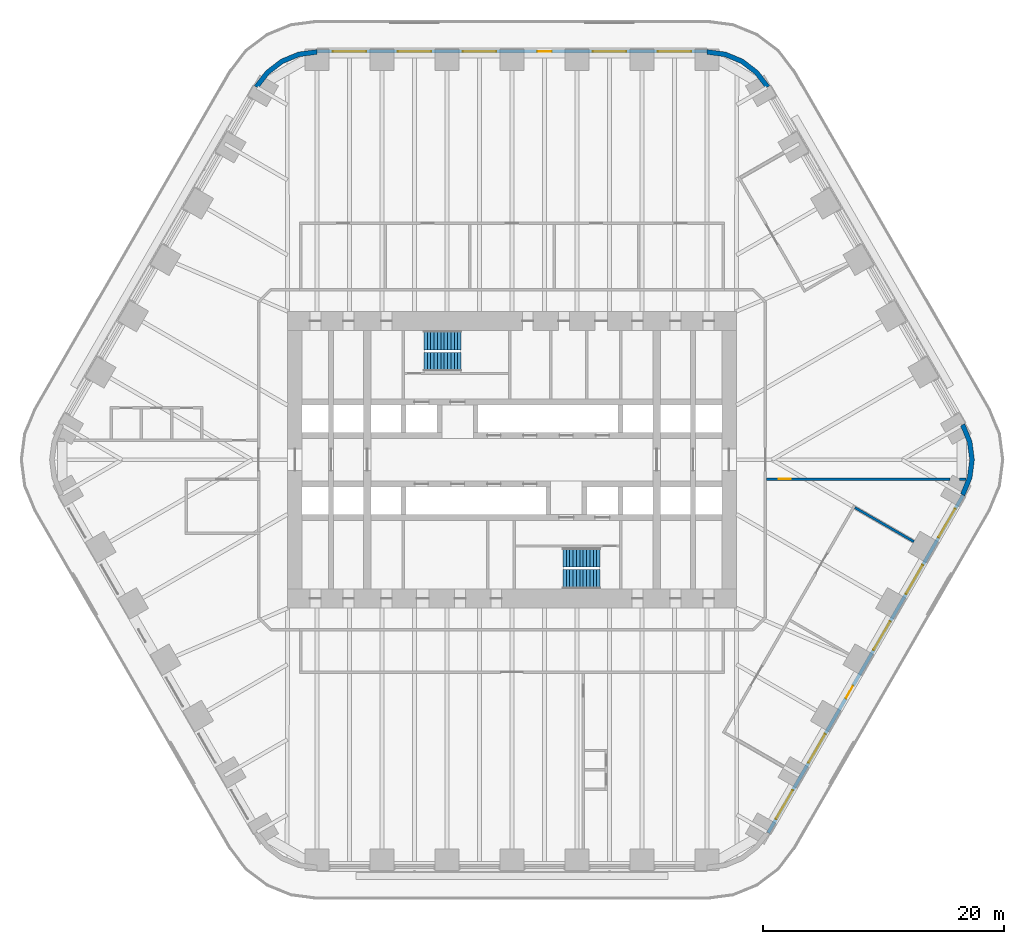
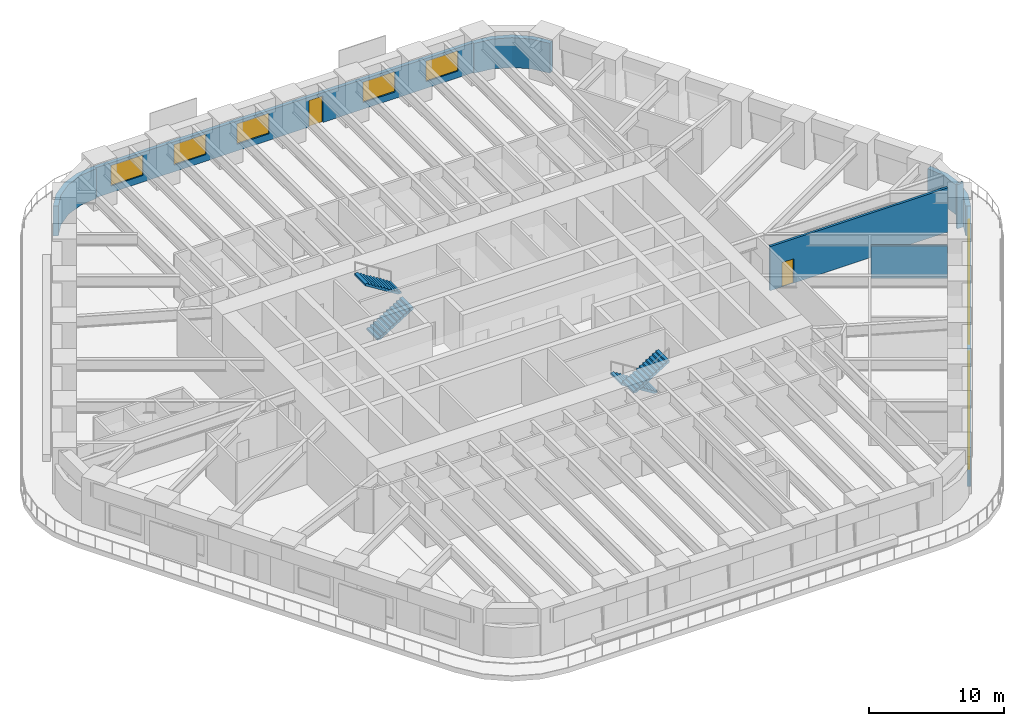
# One storey, part 20 of 23: 10 windows, 8 walls, 4 stair flights, 3 doors, 13 openings, 2 elements without a shape of their own.
"""IFC4 building model written with IfcOpenShell, lengths in metres."""

from ifc_helpers import new_model, si_unit, direction, frame, frame_2d, origin, place, context, subcontext, project, spatial, polyline, rectangle, outline, extrude, material, layer, layer_set, type_object, element, fill, aggregate, save


model = new_model("IFC4")

# Units and contexts
model_context = context("Model", 3, precision=1e-05, world=origin(), true_north=direction((0.0, 1.0)))
body_context = subcontext(model_context, "Body", "Model", "MODEL_VIEW")
ifc_project = project(units=[si_unit("LENGTHUNIT", "METRE"), si_unit("AREAUNIT", "SQUARE_METRE"), si_unit("VOLUMEUNIT", "CUBIC_METRE"), si_unit("PLANEANGLEUNIT", "RADIAN"), si_unit("MASSUNIT", "GRAM", prefix="KILO")], contexts=[model_context])

# Site, building, storey
site_placement = place(None, origin())
site = spatial("IfcSite", under=ifc_project, at=site_placement, CompositionType="ELEMENT")
building_placement = place(site_placement, origin())
building = spatial("IfcBuilding", under=site, at=building_placement, Name="Tarfa Lantern Tower", CompositionType="ELEMENT")
storey_placement = place(building_placement, frame((0.0, 0.0, 52.89990234375)))
storey = spatial("IfcBuildingStorey", under=building, at=storey_placement, Name="L11", CompositionType="ELEMENT", Elevation=52.89990234375)

# Wall, openings, door, windows
ifc_material_1 = material(Name="Limestone cladding on blockwork", Category="masonry")
ifc_layer_1 = layer(ifc_material_1, 0.300048828125)
ifc_layer_set_1 = layer_set([ifc_layer_1], Name="EW1 STONE-CLAD WALL 300")
wall_type_1 = type_object("IfcWallType", Name="EW1 STONE-CLAD WALL 300", PredefinedType="SOLIDWALL", material=ifc_layer_set_1)
wall_1_placement = place(storey_placement, frame((16.165771484375, 33.85009765625, 0.0), z_axis=(0.0, 0.0, 1.0), x_axis=(-1.0, 0.0, 0.0)))
wall_1 = element("IfcWall", 1, at=wall_1_placement, inside=storey, type_object=wall_type_1, Name="Stone wall N", PredefinedType="SOLIDWALL", context=body_context, shape_type="SweptSolid", body=[
    extrude(rectangle(XDim=32.33154296875, YDim=0.300048828125, at=frame_2d((16.165771484375, 0.0))), origin(), (0.0, 0.0, 1.0), 2.7001953125),
])
opening_1_placement = place(wall_1_placement, frame((1.3193359375, 0.0, 0.60009765625)))
opening_1 = element("IfcOpeningElement", 2, at=opening_1_placement, cuts=wall_1, Name="Opening W2", PredefinedType="OPENING", context=body_context, shape_type="SweptSolid", body=[
    extrude(rectangle(XDim=2.75, YDim=1.85009765625, at=frame_2d((1.375, 0.925048828125))), frame((0.0, 0.159912109375, 0.0), z_axis=(0.0, -1.0, 0.0), x_axis=(1.0, 0.0, 0.0)), (0.0, 0.0, 1.0), 0.320068359375),
])
opening_2_placement = place(wall_1_placement, frame((6.7080078125, 0.0, 0.60009765625)))
opening_2 = element("IfcOpeningElement", 3, at=opening_2_placement, cuts=wall_1, Name="Opening W2", PredefinedType="OPENING", context=body_context, shape_type="SweptSolid", body=[
    extrude(rectangle(XDim=2.75, YDim=1.85009765625, at=frame_2d((1.375, 0.925048828125))), frame((0.0, 0.159912109375, 0.0), z_axis=(0.0, -1.0, 0.0), x_axis=(1.0, 0.0, 0.0)), (0.0, 0.0, 1.0), 0.320068359375),
])
opening_3_placement = place(wall_1_placement, frame((12.87158203125, 0.0, 0.0)))
opening_3 = element("IfcOpeningElement", 4, at=opening_3_placement, cuts=wall_1, Name="Opening D49", PredefinedType="OPENING", context=body_context, shape_type="SweptSolid", body=[
    extrude(rectangle(XDim=1.199951171875, YDim=2.39990234375, at=frame_2d((0.60009765625, 1.199951171875))), frame((0.0, 0.159912109375, 0.0), z_axis=(0.0, -1.0, 0.0), x_axis=(1.0, 0.0, 0.0)), (0.0, 0.0, 1.0), 0.320068359375),
])
opening_4_placement = place(wall_1_placement, frame((17.485107421875, 0.0, 0.60009765625)))
opening_4 = element("IfcOpeningElement", 5, at=opening_4_placement, cuts=wall_1, Name="Opening W2", PredefinedType="OPENING", context=body_context, shape_type="SweptSolid", body=[
    extrude(rectangle(XDim=2.75, YDim=1.85009765625, at=frame_2d((1.375, 0.925048828125))), frame((0.0, 0.159912109375, 0.0), z_axis=(0.0, -1.0, 0.0), x_axis=(1.0, 0.0, 0.0)), (0.0, 0.0, 1.0), 0.320068359375),
])
opening_5_placement = place(wall_1_placement, frame((22.873779296875, 0.0, 0.60009765625)))
opening_5 = element("IfcOpeningElement", 6, at=opening_5_placement, cuts=wall_1, Name="Opening W2", PredefinedType="OPENING", context=body_context, shape_type="SweptSolid", body=[
    extrude(rectangle(XDim=2.75, YDim=1.85009765625, at=frame_2d((1.375, 0.925048828125))), frame((0.0, 0.159912109375, 0.0), z_axis=(0.0, -1.0, 0.0), x_axis=(1.0, 0.0, 0.0)), (0.0, 0.0, 1.0), 0.320068359375),
])
opening_6_placement = place(wall_1_placement, frame((28.26220703125, 0.0, 0.60009765625)))
opening_6 = element("IfcOpeningElement", 7, at=opening_6_placement, cuts=wall_1, Name="Opening W2", PredefinedType="OPENING", context=body_context, shape_type="SweptSolid", body=[
    extrude(rectangle(XDim=2.75, YDim=1.85009765625, at=frame_2d((1.375, 0.925048828125))), frame((0.0, 0.159912109375, 0.0), z_axis=(0.0, -1.0, 0.0), x_axis=(1.0, 0.0, 0.0)), (0.0, 0.0, 1.0), 0.320068359375),
])
ifc_material_2 = material(Name="Aluminium framed glazed door", Category="aluminium")
door_type_1 = type_object("IfcDoorType", Name="BE3 BALCONY DOOR 1200x2400", OperationType="SINGLE_SWING_RIGHT", PredefinedType="DOOR", material=ifc_material_2)
door_1_placement = place(opening_3_placement, origin())
door_1 = element("IfcDoor", 8, at=door_1_placement, inside=storey, type_object=door_type_1, Name="Balcony door N", OperationType="SINGLE_SWING_RIGHT", OverallHeight=2.39990234375, OverallWidth=1.199951171875, PredefinedType="DOOR", context=body_context, shape_type="SweptSolid", body=[
    extrude(rectangle(XDim=1.199951171875, YDim=2.39990234375, at=frame_2d((0.60009765625, 1.199951171875))), frame((0.0, 0.02490234375, 0.0), z_axis=(0.0, -1.0, 0.0), x_axis=(1.0, 0.0, 0.0)), (0.0, 0.0, 1.0), 0.050048828125),
])
fill(opening_3, door_1)
ifc_material_3 = material(Name="Aluminium frame, double glazed", Category="aluminium")
window_type = type_object("IfcWindowType", Name="W2 FULL-HEIGHT GLAZING 2750x1850", PartitioningType="SINGLE_PANEL", PredefinedType="WINDOW", material=ifc_material_3)
window_1_placement = place(opening_1_placement, origin())
window_1 = element("IfcWindow", 9, at=window_1_placement, inside=storey, type_object=window_type, Name="Window N 1", OverallHeight=1.85009765625, OverallWidth=2.75, PartitioningType="SINGLE_PANEL", PredefinedType="WINDOW", context=body_context, shape_type="SweptSolid", body=[
    extrude(rectangle(XDim=2.75, YDim=1.85009765625, at=frame_2d((1.375, 0.925048828125))), frame((0.0, 0.030029296875, 0.0), z_axis=(0.0, -1.0, 0.0), x_axis=(1.0, 0.0, 0.0)), (0.0, 0.0, 1.0), 0.06005859375),
])
fill(opening_1, window_1)
window_2_placement = place(opening_2_placement, origin())
window_2 = element("IfcWindow", 10, at=window_2_placement, inside=storey, type_object=window_type, Name="Window N 2", OverallHeight=1.85009765625, OverallWidth=2.75, PartitioningType="SINGLE_PANEL", PredefinedType="WINDOW", context=body_context, shape_type="SweptSolid", body=[
    extrude(rectangle(XDim=2.75, YDim=1.85009765625, at=frame_2d((1.375, 0.925048828125))), frame((0.0, 0.030029296875, 0.0), z_axis=(0.0, -1.0, 0.0), x_axis=(1.0, 0.0, 0.0)), (0.0, 0.0, 1.0), 0.06005859375),
])
fill(opening_2, window_2)
window_3_placement = place(opening_4_placement, origin())
window_3 = element("IfcWindow", 11, at=window_3_placement, inside=storey, type_object=window_type, Name="Window N 4", OverallHeight=1.85009765625, OverallWidth=2.75, PartitioningType="SINGLE_PANEL", PredefinedType="WINDOW", context=body_context, shape_type="SweptSolid", body=[
    extrude(rectangle(XDim=2.75, YDim=1.85009765625, at=frame_2d((1.375, 0.925048828125))), frame((0.0, 0.030029296875, 0.0), z_axis=(0.0, -1.0, 0.0), x_axis=(1.0, 0.0, 0.0)), (0.0, 0.0, 1.0), 0.06005859375),
])
fill(opening_4, window_3)
window_4_placement = place(opening_5_placement, origin())
window_4 = element("IfcWindow", 12, at=window_4_placement, inside=storey, type_object=window_type, Name="Window N 5", OverallHeight=1.85009765625, OverallWidth=2.75, PartitioningType="SINGLE_PANEL", PredefinedType="WINDOW", context=body_context, shape_type="SweptSolid", body=[
    extrude(rectangle(XDim=2.75, YDim=1.85009765625, at=frame_2d((1.375, 0.925048828125))), frame((0.0, 0.030029296875, 0.0), z_axis=(0.0, -1.0, 0.0), x_axis=(1.0, 0.0, 0.0)), (0.0, 0.0, 1.0), 0.06005859375),
])
fill(opening_5, window_4)
window_5_placement = place(opening_6_placement, origin())
window_5 = element("IfcWindow", 13, at=window_5_placement, inside=storey, type_object=window_type, Name="Window N 6", OverallHeight=1.85009765625, OverallWidth=2.75, PartitioningType="SINGLE_PANEL", PredefinedType="WINDOW", context=body_context, shape_type="SweptSolid", body=[
    extrude(rectangle(XDim=2.75, YDim=1.85009765625, at=frame_2d((1.375, 0.925048828125))), frame((0.0, 0.030029296875, 0.0), z_axis=(0.0, -1.0, 0.0), x_axis=(1.0, 0.0, 0.0)), (0.0, 0.0, 1.0), 0.06005859375),
])
fill(opening_6, window_5)

wall_2_placement = place(storey_placement, frame((21.232177734375, -30.925048828125, 0.0), z_axis=(0.0, 0.0, 1.0), x_axis=(0.499999163675, 0.866025886636, 0.0)))
wall_2 = element("IfcWall", 14, at=wall_2_placement, inside=storey, type_object=wall_type_1, Name="Stone wall SE", PredefinedType="SOLIDWALL", context=body_context, shape_type="SweptSolid", body=[
    extrude(rectangle(XDim=32.33154296875, YDim=0.300048828125, at=frame_2d((16.165771484375, 0.0))), origin(), (0.0, 0.0, 1.0), 2.7001953125),
])
opening_7_placement = place(wall_2_placement, frame((1.3193359375, 0.0, 0.60009765625)))
opening_7 = element("IfcOpeningElement", 15, at=opening_7_placement, cuts=wall_2, Name="Opening W2", PredefinedType="OPENING", context=body_context, shape_type="SweptSolid", body=[
    extrude(rectangle(XDim=2.75, YDim=1.85009765625, at=frame_2d((1.375, 0.925048828125))), frame((0.0, 0.159912109375, 0.0), z_axis=(0.0, -1.0, 0.0), x_axis=(1.0, 0.0, 0.0)), (0.0, 0.0, 1.0), 0.320068359375),
])
opening_8_placement = place(wall_2_placement, frame((6.7080078125, 0.0, 0.60009765625)))
opening_8 = element("IfcOpeningElement", 16, at=opening_8_placement, cuts=wall_2, Name="Opening W2", PredefinedType="OPENING", context=body_context, shape_type="SweptSolid", body=[
    extrude(rectangle(XDim=2.75, YDim=1.85009765625, at=frame_2d((1.375, 0.925048828125))), frame((0.0, 0.159912109375, 0.0), z_axis=(0.0, -1.0, 0.0), x_axis=(1.0, 0.0, 0.0)), (0.0, 0.0, 1.0), 0.320068359375),
])
opening_9_placement = place(wall_2_placement, frame((12.87158203125, 0.0, 0.0)))
opening_9 = element("IfcOpeningElement", 17, at=opening_9_placement, cuts=wall_2, Name="Opening D50", PredefinedType="OPENING", context=body_context, shape_type="SweptSolid", body=[
    extrude(rectangle(XDim=1.199951171875, YDim=2.39990234375, at=frame_2d((0.60009765625, 1.199951171875))), frame((0.0, 0.159912109375, 0.0), z_axis=(0.0, -1.0, 0.0), x_axis=(1.0, 0.0, 0.0)), (0.0, 0.0, 1.0), 0.320068359375),
])
opening_10_placement = place(wall_2_placement, frame((17.485107421875, 0.0, 0.60009765625)))
opening_10 = element("IfcOpeningElement", 18, at=opening_10_placement, cuts=wall_2, Name="Opening W2", PredefinedType="OPENING", context=body_context, shape_type="SweptSolid", body=[
    extrude(rectangle(XDim=2.75, YDim=1.85009765625, at=frame_2d((1.375, 0.925048828125))), frame((0.0, 0.159912109375, 0.0), z_axis=(0.0, -1.0, 0.0), x_axis=(1.0, 0.0, 0.0)), (0.0, 0.0, 1.0), 0.320068359375),
])
opening_11_placement = place(wall_2_placement, frame((22.873779296875, 0.0, 0.60009765625)))
opening_11 = element("IfcOpeningElement", 19, at=opening_11_placement, cuts=wall_2, Name="Opening W2", PredefinedType="OPENING", context=body_context, shape_type="SweptSolid", body=[
    extrude(rectangle(XDim=2.75, YDim=1.85009765625, at=frame_2d((1.375, 0.925048828125))), frame((0.0, 0.159912109375, 0.0), z_axis=(0.0, -1.0, 0.0), x_axis=(1.0, 0.0, 0.0)), (0.0, 0.0, 1.0), 0.320068359375),
])
opening_12_placement = place(wall_2_placement, frame((28.26220703125, 0.0, 0.60009765625)))
opening_12 = element("IfcOpeningElement", 20, at=opening_12_placement, cuts=wall_2, Name="Opening W2", PredefinedType="OPENING", context=body_context, shape_type="SweptSolid", body=[
    extrude(rectangle(XDim=2.75, YDim=1.85009765625, at=frame_2d((1.375, 0.925048828125))), frame((0.0, 0.159912109375, 0.0), z_axis=(0.0, -1.0, 0.0), x_axis=(1.0, 0.0, 0.0)), (0.0, 0.0, 1.0), 0.320068359375),
])
door_2_placement = place(opening_9_placement, origin())
door_2 = element("IfcDoor", 21, at=door_2_placement, inside=storey, type_object=door_type_1, Name="Balcony door SE", OperationType="SINGLE_SWING_RIGHT", OverallHeight=2.39990234375, OverallWidth=1.199951171875, PredefinedType="DOOR", context=body_context, shape_type="SweptSolid", body=[
    extrude(rectangle(XDim=1.199951171875, YDim=2.39990234375, at=frame_2d((0.60009765625, 1.199951171875))), frame((0.0, 0.02490234375, 0.0), z_axis=(0.0, -1.0, 0.0), x_axis=(1.0, 0.0, 0.0)), (0.0, 0.0, 1.0), 0.050048828125),
])
fill(opening_9, door_2)
window_6_placement = place(opening_7_placement, origin())
window_6 = element("IfcWindow", 22, at=window_6_placement, inside=storey, type_object=window_type, Name="Window SE 1", OverallHeight=1.85009765625, OverallWidth=2.75, PartitioningType="SINGLE_PANEL", PredefinedType="WINDOW", context=body_context, shape_type="SweptSolid", body=[
    extrude(rectangle(XDim=2.75, YDim=1.85009765625, at=frame_2d((1.375, 0.925048828125))), frame((0.0, 0.030029296875, 0.0), z_axis=(0.0, -1.0, 0.0), x_axis=(1.0, 0.0, 0.0)), (0.0, 0.0, 1.0), 0.06005859375),
])
fill(opening_7, window_6)
window_7_placement = place(opening_8_placement, origin())
window_7 = element("IfcWindow", 23, at=window_7_placement, inside=storey, type_object=window_type, Name="Window SE 2", OverallHeight=1.85009765625, OverallWidth=2.75, PartitioningType="SINGLE_PANEL", PredefinedType="WINDOW", context=body_context, shape_type="SweptSolid", body=[
    extrude(rectangle(XDim=2.75, YDim=1.85009765625, at=frame_2d((1.375, 0.925048828125))), frame((0.0, 0.030029296875, 0.0), z_axis=(0.0, -1.0, 0.0), x_axis=(1.0, 0.0, 0.0)), (0.0, 0.0, 1.0), 0.06005859375),
])
fill(opening_8, window_7)
window_8_placement = place(opening_10_placement, origin())
window_8 = element("IfcWindow", 24, at=window_8_placement, inside=storey, type_object=window_type, Name="Window SE 4", OverallHeight=1.85009765625, OverallWidth=2.75, PartitioningType="SINGLE_PANEL", PredefinedType="WINDOW", context=body_context, shape_type="SweptSolid", body=[
    extrude(rectangle(XDim=2.75, YDim=1.85009765625, at=frame_2d((1.375, 0.925048828125))), frame((0.0, 0.030029296875, 0.0), z_axis=(0.0, -1.0, 0.0), x_axis=(1.0, 0.0, 0.0)), (0.0, 0.0, 1.0), 0.06005859375),
])
fill(opening_10, window_8)
window_9_placement = place(opening_11_placement, origin())
window_9 = element("IfcWindow", 25, at=window_9_placement, inside=storey, type_object=window_type, Name="Window SE 5", OverallHeight=1.85009765625, OverallWidth=2.75, PartitioningType="SINGLE_PANEL", PredefinedType="WINDOW", context=body_context, shape_type="SweptSolid", body=[
    extrude(rectangle(XDim=2.75, YDim=1.85009765625, at=frame_2d((1.375, 0.925048828125))), frame((0.0, 0.030029296875, 0.0), z_axis=(0.0, -1.0, 0.0), x_axis=(1.0, 0.0, 0.0)), (0.0, 0.0, 1.0), 0.06005859375),
])
fill(opening_11, window_9)
window_10_placement = place(opening_12_placement, origin())
window_10 = element("IfcWindow", 26, at=window_10_placement, inside=storey, type_object=window_type, Name="Window SE 6", OverallHeight=1.85009765625, OverallWidth=2.75, PartitioningType="SINGLE_PANEL", PredefinedType="WINDOW", context=body_context, shape_type="SweptSolid", body=[
    extrude(rectangle(XDim=2.75, YDim=1.85009765625, at=frame_2d((1.375, 0.925048828125))), frame((0.0, 0.030029296875, 0.0), z_axis=(0.0, -1.0, 0.0), x_axis=(1.0, 0.0, 0.0)), (0.0, 0.0, 1.0), 0.06005859375),
])
fill(opening_12, window_10)

# Walls
ifc_layer_2 = layer(ifc_material_1, 0.39990234375)
ifc_layer_set_2 = layer_set([ifc_layer_2], Name="EW2 CURVED STONE CORNER 400")
wall_type_2 = type_object("IfcWallType", Name="EW2 CURVED STONE CORNER 400", PredefinedType="SOLIDWALL", material=ifc_layer_set_2)
wall_3_placement = place(storey_placement, origin())
element("IfcWall", 27, at=wall_3_placement, inside=storey, type_object=wall_type_2, Name="Stone corner NE-N", PredefinedType="SOLIDWALL", context=body_context, shape_type="SweptSolid", body=[
    extrude(outline(polyline([(21.362060546875, 31.0), (20.408447265625, 32.24267578125), (19.165771484375, 33.196044921875), (17.71875, 33.795654296875), (16.165771484375, 34.0), (16.165771484375, 33.60009765625), (17.615234375, 33.4091796875), (18.9658203125, 32.849853515625), (20.12548828125, 31.959716796875), (21.015625, 30.800048828125), (21.362060546875, 31.0)])), origin(), (0.0, 0.0, 1.0), 2.7001953125),
])
wall_4_placement = place(storey_placement, origin())
element("IfcWall", 28, at=wall_4_placement, inside=storey, type_object=wall_type_2, Name="Stone corner N-NW", PredefinedType="SOLIDWALL", context=body_context, shape_type="SweptSolid", body=[
    extrude(outline(polyline([(-16.165771484375, 34.0), (-17.71875, 33.795654296875), (-19.165771484375, 33.196044921875), (-20.408447265625, 32.24267578125), (-21.362060546875, 31.0), (-21.015625, 30.800048828125), (-20.12548828125, 31.959716796875), (-18.9658203125, 32.849853515625), (-17.615234375, 33.4091796875), (-16.165771484375, 33.60009765625), (-16.165771484375, 34.0)])), origin(), (0.0, 0.0, 1.0), 2.7001953125),
])
wall_5_placement = place(storey_placement, origin())
element("IfcWall", 29, at=wall_5_placement, inside=storey, type_object=wall_type_2, Name="Stone corner SE-NE", PredefinedType="SOLIDWALL", context=body_context, shape_type="SweptSolid", body=[
    extrude(outline(polyline([(37.52783203125, -3.0), (38.127197265625, -1.552978515625), (38.33154296875, 0.0), (38.127197265625, 1.552978515625), (37.52783203125, 3.0), (37.181396484375, 2.800048828125), (37.74072265625, 1.449462890625), (37.931640625, 0.0), (37.74072265625, -1.449462890625), (37.181396484375, -2.800048828125), (37.52783203125, -3.0)])), origin(), (0.0, 0.0, 1.0), 2.7001953125),
])
ifc_material_4 = material(Name="Gypsum board on steel studs", Category="steel")
ifc_layer_3 = layer(ifc_material_4, 0.2099609375)
ifc_layer_set_3 = layer_set([ifc_layer_3], Name="IW2 ACOUSTIC PARTITION 200")
wall_type_3 = type_object("IfcWallType", Name="IW2 ACOUSTIC PARTITION 200", PredefinedType="PARTITIONING", material=ifc_layer_set_3)
wall_6_placement = place(storey_placement, frame((28.4248046875, -3.966552734375, 0.0), z_axis=(0.0, 0.0, 1.0), x_axis=(0.866011447264, -0.500024172624, 0.0)))
element("IfcWall", 30, at=wall_6_placement, inside=storey, type_object=wall_type_3, Name="Partition", PredefinedType="PARTITIONING", context=body_context, shape_type="SweptSolid", body=[
    extrude(rectangle(XDim=5.650146484375, YDim=0.199951171875, at=frame_2d((2.8251953125, 0.0))), origin(), (0.0, 0.0, 1.0), 2.944091796875),
])

# Wall, opening, door
wall_7_placement = place(storey_placement, frame((21.10009765625, -1.60009765625, 0.0), z_axis=(0.0, 0.0, 1.0), x_axis=(1.0, 0.0, 0.0)))
wall_7 = element("IfcWall", 31, at=wall_7_placement, inside=storey, type_object=wall_type_3, Name="Partition", PredefinedType="PARTITIONING", context=body_context, shape_type="SweptSolid", body=[
    extrude(rectangle(XDim=15.21533203125, YDim=0.199951171875, at=frame_2d((7.607666015625, 0.0))), origin(), (0.0, 0.0, 1.0), 4.0),
])
opening_13_placement = place(wall_7_placement, frame((1.021484375, 0.0, 0.0)))
opening_13 = element("IfcOpeningElement", 32, at=opening_13_placement, cuts=wall_7, Name="Opening D46", PredefinedType="OPENING", context=body_context, shape_type="SweptSolid", body=[
    extrude(rectangle(XDim=1.0, YDim=2.199951171875, at=frame_2d((0.5, 1.10009765625))), frame((0.0, 0.10986328125, 0.0), z_axis=(0.0, -1.0, 0.0), x_axis=(1.0, 0.0, 0.0)), (0.0, 0.0, 1.0), 0.219970703125),
])
ifc_material_5 = material(Name="Timber door", Category="wood")
door_type_2 = type_object("IfcDoorType", Name="DR1 ROOM DOOR 1000x2200", OperationType="SINGLE_SWING_LEFT", PredefinedType="DOOR", material=ifc_material_5)
door_3_placement = place(opening_13_placement, frame((1.0, 0.0, 0.0), z_axis=(0.0, 0.0, 1.0), x_axis=(-1.0, 0.0, 0.0)))
door_3 = element("IfcDoor", 33, at=door_3_placement, inside=storey, type_object=door_type_2, Name="Zone door", OperationType="SINGLE_SWING_LEFT", OverallHeight=2.199951171875, OverallWidth=1.0, PredefinedType="DOOR", context=body_context, shape_type="SweptSolid", body=[
    extrude(rectangle(XDim=1.0, YDim=2.199951171875, at=frame_2d((0.5, 1.10009765625))), frame((0.0, 0.02490234375, 0.0), z_axis=(0.0, -1.0, 0.0), x_axis=(1.0, 0.0, 0.0)), (0.0, 0.0, 1.0), 0.050048828125),
])
fill(opening_13, door_3)

# Wall
wall_8_placement = place(storey_placement, frame((37.102783203125, -1.60009765625, 0.0), z_axis=(0.0, 0.0, 1.0), x_axis=(1.0, 0.0, 0.0)))
element("IfcWall", 34, at=wall_8_placement, inside=storey, type_object=wall_type_3, Name="Partition", PredefinedType="PARTITIONING", context=body_context, shape_type="SweptSolid", body=[
    extrude(rectangle(XDim=0.534423828125, YDim=0.199951171875, at=frame_2d((0.26708984375, 0.0))), origin(), (0.0, 0.0, 1.0), 4.0),
])

# Stair, stair flights
ifc_material_6 = material(Name="Concrete C40/50", Category="concrete")
stair_type = type_object("IfcStairType", Name="ST-T10 HALF-TURN STAIR 4200 RISE", PredefinedType="HALF_TURN_STAIR", material=ifc_material_6)
stair_1_placement = place(storey_placement, origin())
stair_1 = element("IfcStair", 35, at=stair_1_placement, inside=storey, type_object=stair_type, Name="Stair ST1", PredefinedType="HALF_TURN_STAIR")
stair_flight_type = type_object("IfcStairFlightType", Name="SF1 STAIR FLIGHT", PredefinedType="STRAIGHT", material=ifc_material_6)
stair_flight_1_placement = place(storey_placement, frame((-7.300048828125, 8.10009765625, 0.0), z_axis=(0.0, 0.0, 1.0), x_axis=(1.0, 0.0, 0.0)))
stair_flight_1 = element("IfcStairFlight", 36, at=stair_flight_1_placement, type_object=stair_flight_type, Name="ST1 flight 1", NumberOfRisers=12, NumberOfTreads=11, PredefinedType="STRAIGHT", RiserHeight=0.175, TreadLength=0.28, context=body_context, shape_type="SweptSolid", body=[
    extrude(outline(polyline([(0.0, 0.0), (0.0, 0.175048828125), (0.280029296875, 0.175048828125), (0.280029296875, 0.35009765625), (0.56005859375, 0.35009765625), (0.56005859375, 0.52490234375), (0.840087890625, 0.52490234375), (0.840087890625, 0.699951171875), (1.1201171875, 0.699951171875), (1.1201171875, 0.875), (1.39990234375, 0.875), (1.39990234375, 1.050048828125), (1.679931640625, 1.050048828125), (1.679931640625, 1.22509765625), (1.9599609375, 1.22509765625), (1.9599609375, 1.39990234375), (2.239990234375, 1.39990234375), (2.239990234375, 1.574951171875), (2.52001953125, 1.574951171875), (2.52001953125, 1.75), (2.800048828125, 1.75), (2.800048828125, 1.925048828125), (3.080078125, 1.925048828125), (3.080078125, 2.10009765625), (3.080078125, 1.748291015625), (0.28271484375, 0.0), (0.0, 0.0)])), frame((0.0, 0.800048828125, 0.0), z_axis=(0.0, -1.0, 0.0), x_axis=(1.0, 0.0, 0.0)), (0.0, 0.0, 1.0), 1.60009765625),
])
stair_flight_2_placement = place(storey_placement, frame((-4.219970703125, 9.89990234375, 2.10009765625), z_axis=(0.0, 0.0, 1.0), x_axis=(-1.0, 0.0, 0.0)))
stair_flight_2 = element("IfcStairFlight", 37, at=stair_flight_2_placement, type_object=stair_flight_type, Name="ST1 flight 2", NumberOfRisers=12, NumberOfTreads=11, PredefinedType="STRAIGHT", RiserHeight=0.175, TreadLength=0.28, context=body_context, shape_type="SweptSolid", body=[
    extrude(outline(polyline([(0.0, 0.0), (0.0, 0.175048828125), (0.280029296875, 0.175048828125), (0.280029296875, 0.35009765625), (0.56005859375, 0.35009765625), (0.56005859375, 0.52490234375), (0.840087890625, 0.52490234375), (0.840087890625, 0.699951171875), (1.1201171875, 0.699951171875), (1.1201171875, 0.875), (1.39990234375, 0.875), (1.39990234375, 1.050048828125), (1.679931640625, 1.050048828125), (1.679931640625, 1.22509765625), (1.9599609375, 1.22509765625), (1.9599609375, 1.39990234375), (2.239990234375, 1.39990234375), (2.239990234375, 1.574951171875), (2.52001953125, 1.574951171875), (2.52001953125, 1.75), (2.800048828125, 1.75), (2.800048828125, 1.925048828125), (3.080078125, 1.925048828125), (3.080078125, 2.10009765625), (3.080078125, 1.748291015625), (0.28271484375, 0.0), (0.0, 0.0)])), frame((0.0, 0.800048828125, 0.0), z_axis=(0.0, -1.0, 0.0), x_axis=(1.0, 0.0, 0.0)), (0.0, 0.0, 1.0), 1.60009765625),
])
aggregate(stair_1, [stair_flight_1, stair_flight_2])

stair_2_placement = place(storey_placement, origin())
stair_2 = element("IfcStair", 38, at=stair_2_placement, inside=storey, type_object=stair_type, Name="Stair ST2", PredefinedType="HALF_TURN_STAIR")
stair_flight_3_placement = place(storey_placement, frame((7.300048828125, -8.10009765625, 0.0), z_axis=(0.0, 0.0, 1.0), x_axis=(-1.0, 0.0, 0.0)))
stair_flight_3 = element("IfcStairFlight", 39, at=stair_flight_3_placement, type_object=stair_flight_type, Name="ST2 flight 1", NumberOfRisers=12, NumberOfTreads=11, PredefinedType="STRAIGHT", RiserHeight=0.175, TreadLength=0.28, context=body_context, shape_type="SweptSolid", body=[
    extrude(outline(polyline([(0.0, 0.0), (0.0, 0.175048828125), (0.280029296875, 0.175048828125), (0.280029296875, 0.35009765625), (0.56005859375, 0.35009765625), (0.56005859375, 0.52490234375), (0.840087890625, 0.52490234375), (0.840087890625, 0.699951171875), (1.1201171875, 0.699951171875), (1.1201171875, 0.875), (1.39990234375, 0.875), (1.39990234375, 1.050048828125), (1.679931640625, 1.050048828125), (1.679931640625, 1.22509765625), (1.9599609375, 1.22509765625), (1.9599609375, 1.39990234375), (2.239990234375, 1.39990234375), (2.239990234375, 1.574951171875), (2.52001953125, 1.574951171875), (2.52001953125, 1.75), (2.800048828125, 1.75), (2.800048828125, 1.925048828125), (3.080078125, 1.925048828125), (3.080078125, 2.10009765625), (3.080078125, 1.748291015625), (0.28271484375, 0.0), (0.0, 0.0)])), frame((0.0, 0.800048828125, 0.0), z_axis=(0.0, -1.0, 0.0), x_axis=(1.0, 0.0, 0.0)), (0.0, 0.0, 1.0), 1.60009765625),
])
stair_flight_4_placement = place(storey_placement, frame((4.219970703125, -9.89990234375, 2.10009765625), z_axis=(0.0, 0.0, 1.0), x_axis=(1.0, 0.0, 0.0)))
stair_flight_4 = element("IfcStairFlight", 40, at=stair_flight_4_placement, type_object=stair_flight_type, Name="ST2 flight 2", NumberOfRisers=12, NumberOfTreads=11, PredefinedType="STRAIGHT", RiserHeight=0.175, TreadLength=0.28, context=body_context, shape_type="SweptSolid", body=[
    extrude(outline(polyline([(0.0, 0.0), (0.0, 0.175048828125), (0.280029296875, 0.175048828125), (0.280029296875, 0.35009765625), (0.56005859375, 0.35009765625), (0.56005859375, 0.52490234375), (0.840087890625, 0.52490234375), (0.840087890625, 0.699951171875), (1.1201171875, 0.699951171875), (1.1201171875, 0.875), (1.39990234375, 0.875), (1.39990234375, 1.050048828125), (1.679931640625, 1.050048828125), (1.679931640625, 1.22509765625), (1.9599609375, 1.22509765625), (1.9599609375, 1.39990234375), (2.239990234375, 1.39990234375), (2.239990234375, 1.574951171875), (2.52001953125, 1.574951171875), (2.52001953125, 1.75), (2.800048828125, 1.75), (2.800048828125, 1.925048828125), (3.080078125, 1.925048828125), (3.080078125, 2.10009765625), (3.080078125, 1.748291015625), (0.28271484375, 0.0), (0.0, 0.0)])), frame((0.0, 0.800048828125, 0.0), z_axis=(0.0, -1.0, 0.0), x_axis=(1.0, 0.0, 0.0)), (0.0, 0.0, 1.0), 1.60009765625),
])
aggregate(stair_2, [stair_flight_3, stair_flight_4])

save(model, "model.ifc")
